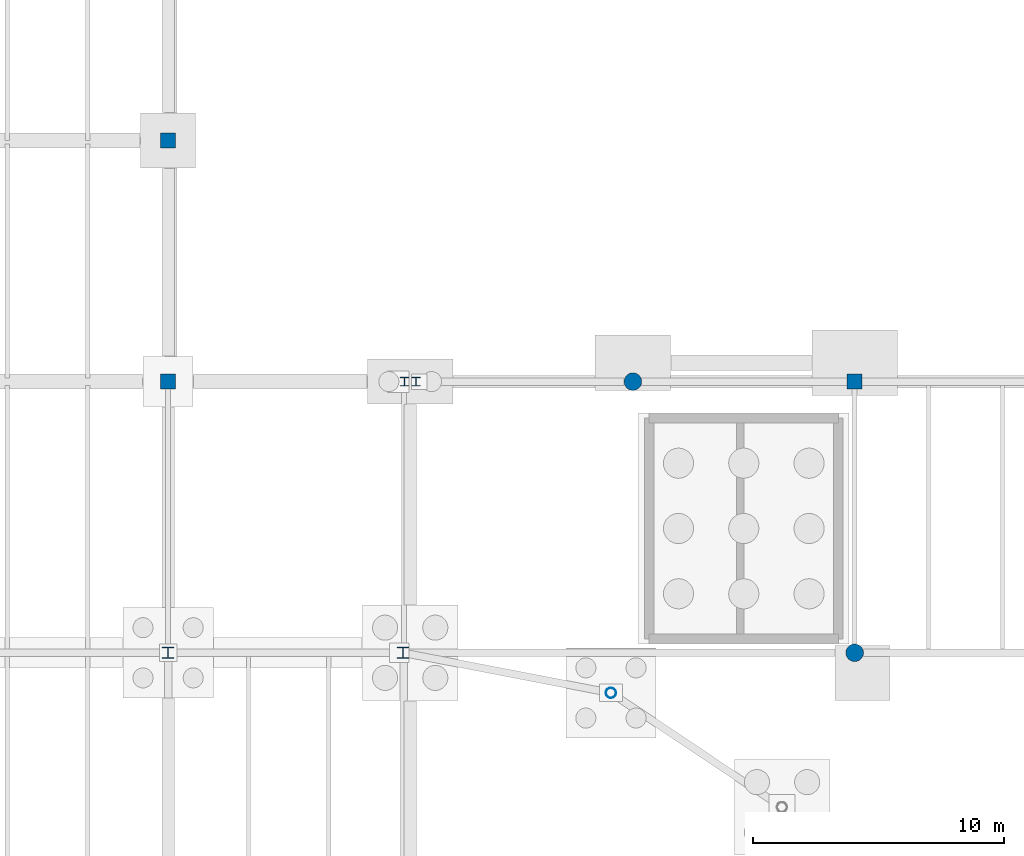
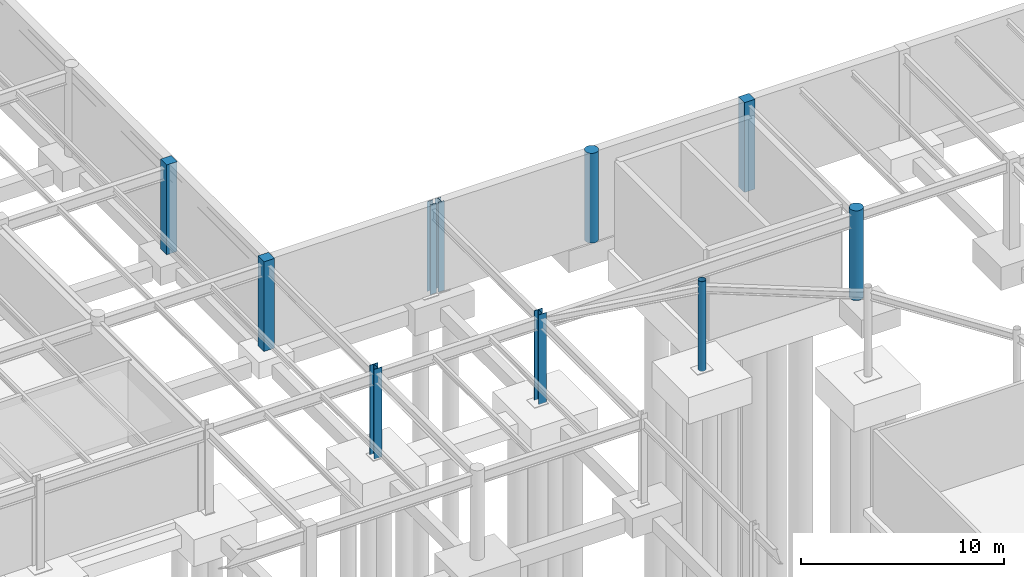
# One storey, part 29 of 50: 10 columns.
"""IFC4 building model written with IfcOpenShell, lengths in metres."""

from ifc_helpers import new_model, si_unit, direction, frame, origin, origin_2d, place, context, subcontext, project, spatial, rectangle, circle, hollow_circle, i_section, extrude, material, material_profile, profile_set, type_object, element, save


model = new_model("IFC4")

# Units and contexts
model_context = context("Model", 3, precision=1e-05, world=origin(), true_north=direction((0.0, 1.0)))
body_context = subcontext(model_context, "Body", "Model", "MODEL_VIEW")
ifc_project = project(units=[si_unit("LENGTHUNIT", "METRE"), si_unit("AREAUNIT", "SQUARE_METRE"), si_unit("VOLUMEUNIT", "CUBIC_METRE"), si_unit("PLANEANGLEUNIT", "RADIAN"), si_unit("MASSUNIT", "GRAM", prefix="KILO")], contexts=[model_context])

# Site, building, storey
site_placement = place(None, origin())
site = spatial("IfcSite", under=ifc_project, at=site_placement, CompositionType="ELEMENT")
building_placement = place(site_placement, origin())
building = spatial("IfcBuilding", under=site, at=building_placement, Name="Yeouljin Market Hall", CompositionType="ELEMENT")
storey_placement = place(building_placement, frame((0.0, 0.0, -5.39990234375)))
storey = spatial("IfcBuildingStorey", under=building, at=storey_placement, Name="B1", CompositionType="ELEMENT", Elevation=-5.39990234375)

# Columns
ifc_material_1 = material(Name="Steel SM355", Category="steel")
ifc_material_profile_1 = material_profile(ifc_material_1, hollow_circle(Radius=0.203125, WallThickness=0.011962890625, at=origin_2d()), Name="CHS-406.4x12")
ifc_profile_set_1 = profile_set([ifc_material_profile_1], Name="Steel SM355")
column_type_1 = type_object("IfcColumnType", Name="Col_CHS-406.4x12", PredefinedType="COLUMN", material=ifc_profile_set_1)
column_placement = place(storey_placement, frame((149.036376953125, 76.401611328125, 0.0), z_axis=(0.0, 0.0, 1.0), x_axis=(1.0, 0.0, 0.0)))
element("IfcColumn", 1, at=column_placement, inside=storey, type_object=column_type_1, Name="Column AP-E14 (B1)", PredefinedType="COLUMN", context=body_context, shape_type="SweptSolid", body=[
    extrude(hollow_circle(Radius=0.203125, WallThickness=0.011962890625, at=origin_2d()), origin(), (0.0, 0.0, 1.0), 5.39990234375),
])
ifc_material_2 = material(Name="Steel SM355", Category="steel")
ifc_material_profile_2 = material_profile(ifc_material_2, i_section(OverallWidth=0.35009765625, OverallDepth=0.35009765625, WebThickness=0.011962890625, FlangeThickness=0.01904296875, FilletRadius=0.02001953125, at=origin_2d()), Name="H-350x350x12x19")
ifc_profile_set_2 = profile_set([ifc_material_profile_2], Name="Steel SM355")
column_type_2 = type_object("IfcColumnType", Name="Col_H-350x350x12x19", PredefinedType="COLUMN", material=ifc_profile_set_2)
for number, where, z_axis, x_axis, name in (
    (2, (140.81005859375, 88.800048828125, 0.0), (0.0, 0.0, 1.0), (1.0, 0.0, 0.0), "Column G-16-09 (B1)"),
    (3, (141.27001953125, 88.800048828125, 0.0), (0.0, 0.0, 1.0), (1.0, 0.0, 0.0), "Column G-17-09 (B1)"),
):
    element("IfcColumn", number, at=place(storey_placement, frame(where, z_axis=z_axis, x_axis=x_axis)), inside=storey, type_object=column_type_2, Name=name, PredefinedType="COLUMN", context=body_context, shape_type="SweptSolid", body=[
        extrude(i_section(OverallWidth=0.35009765625, OverallDepth=0.35009765625, WebThickness=0.011962890625, FlangeThickness=0.01904296875, FilletRadius=0.02001953125, at=origin_2d()), origin(), (0.0, 0.0, 1.0), 5.39990234375),
    ])
ifc_material_3 = material(Name="Steel SM355", Category="steel")
ifc_material_profile_3 = material_profile(ifc_material_3, i_section(OverallWidth=0.449951171875, OverallDepth=0.449951171875, WebThickness=0.013916015625, FlangeThickness=0.02392578125, FilletRadius=0.02392578125, at=origin_2d()), Name="H-450x450x14x24")
ifc_profile_set_3 = profile_set([ifc_material_profile_3], Name="Steel SM355")
column_type_3 = type_object("IfcColumnType", Name="Col_H-450x450x14x24", PredefinedType="COLUMN", material=ifc_profile_set_3)
for number, where, z_axis, x_axis, name in (
    (4, (131.39990234375, 78.0, 0.0), (0.0, 0.0, 1.0), (1.0, 0.0, 0.0), "Column G-15-08 (B1)"),
    (5, (140.760009765625, 78.0, 0.0), (0.0, 0.0, 1.0), (1.0, 0.0, 0.0), "Column G-16-08 (B1)"),
):
    element("IfcColumn", number, at=place(storey_placement, frame(where, z_axis=z_axis, x_axis=x_axis)), inside=storey, type_object=column_type_3, Name=name, PredefinedType="COLUMN", context=body_context, shape_type="SweptSolid", body=[
        extrude(i_section(OverallWidth=0.449951171875, OverallDepth=0.449951171875, WebThickness=0.013916015625, FlangeThickness=0.02392578125, FilletRadius=0.02392578125, at=origin_2d()), origin(), (0.0, 0.0, 1.0), 5.39990234375),
    ])
ifc_material_4 = material(Name="Concrete C35/45", Category="concrete")
ifc_material_profile_4 = material_profile(ifc_material_4, rectangle(XDim=0.60009765625, YDim=0.60009765625, at=origin_2d()), Name="RC-600x600")
ifc_profile_set_4 = profile_set([ifc_material_profile_4], Name="Concrete C35/45")
column_type_4 = type_object("IfcColumnType", Name="Col_RC-600x600", PredefinedType="COLUMN", material=ifc_profile_set_4)
for number, where, z_axis, x_axis, name in (
    (6, (131.39990234375, 88.800048828125, 0.0), (0.0, 0.0, 1.0), (1.0, 0.0, 0.0), "Column G-15-09 (B1)"),
    (7, (131.39990234375, 98.39990234375, 0.0), (0.0, 0.0, 1.0), (1.0, 0.0, 0.0), "Column G-15-10 (B1)"),
    (8, (158.739990234375, 88.800048828125, 0.0), (0.0, 0.0, 1.0), (1.0, 0.0, 0.0), "Column G-19-09 (B1)"),
):
    element("IfcColumn", number, at=place(storey_placement, frame(where, z_axis=z_axis, x_axis=x_axis)), inside=storey, type_object=column_type_4, Name=name, PredefinedType="COLUMN", context=body_context, shape_type="SweptSolid", body=[
        extrude(rectangle(XDim=0.60009765625, YDim=0.60009765625, at=origin_2d()), origin(), (0.0, 0.0, 1.0), 5.39990234375),
    ])
ifc_material_5 = material(Name="Concrete C35/45", Category="concrete")
ifc_material_profile_5 = material_profile(ifc_material_5, circle(Radius=0.35009765625, at=origin_2d()), Name="RC-D700")
ifc_profile_set_5 = profile_set([ifc_material_profile_5], Name="Concrete C35/45")
column_type_5 = type_object("IfcColumnType", Name="Col_RC-D700", PredefinedType="COLUMN", material=ifc_profile_set_5)
for number, where, z_axis, x_axis, name in (
    (9, (149.909912109375, 88.800048828125, 0.0), (0.0, 0.0, 1.0), (1.0, 0.0, 0.0), "Column G-18-09 (B1)"),
    (10, (158.739990234375, 78.0, 0.0), (0.0, 0.0, 1.0), (1.0, 0.0, 0.0), "Column G-19-08 (B1)"),
):
    element("IfcColumn", number, at=place(storey_placement, frame(where, z_axis=z_axis, x_axis=x_axis)), inside=storey, type_object=column_type_5, Name=name, PredefinedType="COLUMN", context=body_context, shape_type="SweptSolid", body=[
        extrude(circle(Radius=0.35009765625, at=origin_2d()), origin(), (0.0, 0.0, 1.0), 5.39990234375),
    ])

save(model, "model.ifc")
